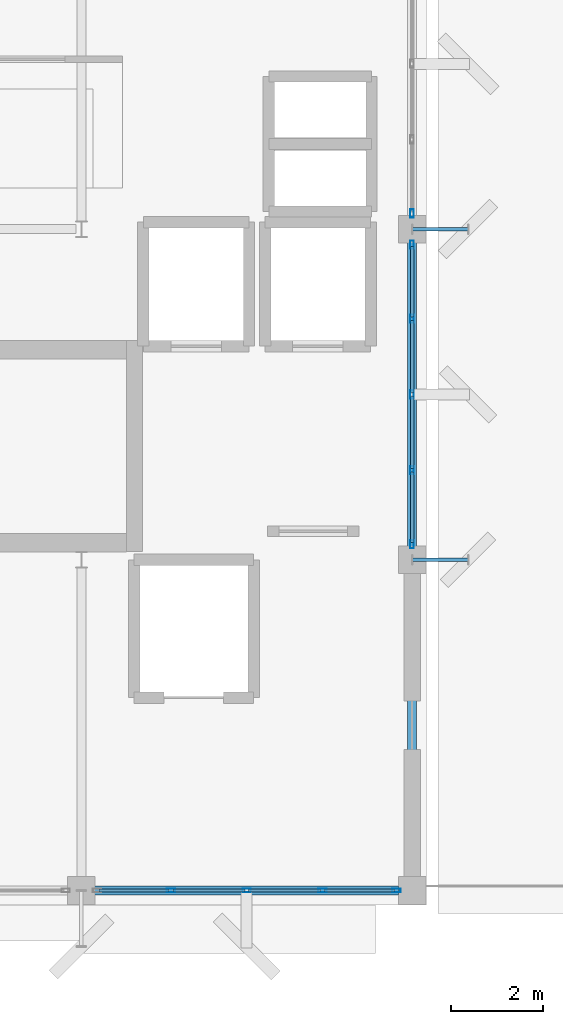
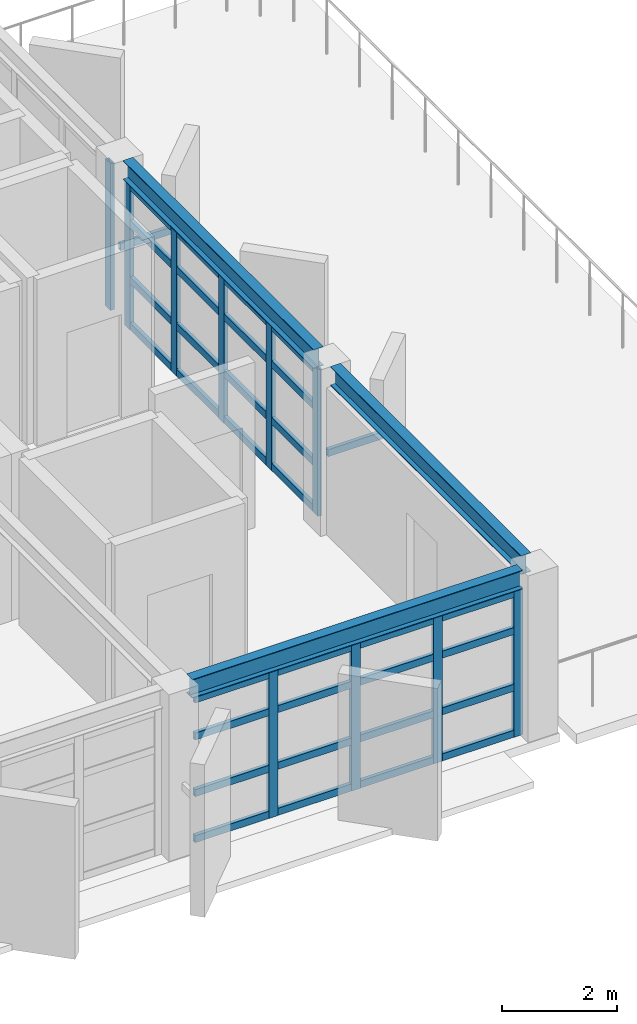
# One storey, part 4 of 13: 44 members, 3 beams, 3 elements without a shape of their own.
"""IFC4 building model written with IfcOpenShell, lengths in metres."""

from ifc_helpers import new_model, si_unit, direction, frame, origin, origin_2d, place, context, subcontext, project, spatial, hollow_rectangle, i_section, extrude, material, layer, layer_set, material_profile, profile_set, type_object, element, aggregate, save


model = new_model("IFC4")

# Units and contexts
model_context = context("Model", 3, precision=1e-05, world=origin(), true_north=direction((0.0, 1.0)))
body_context = subcontext(model_context, "Body", "Model", "MODEL_VIEW")
ifc_project = project(units=[si_unit("LENGTHUNIT", "METRE"), si_unit("AREAUNIT", "SQUARE_METRE"), si_unit("VOLUMEUNIT", "CUBIC_METRE"), si_unit("PLANEANGLEUNIT", "RADIAN"), si_unit("MASSUNIT", "GRAM", prefix="KILO")], contexts=[model_context])

# Site, building, storey
site_placement = place(None, origin())
site = spatial("IfcSite", under=ifc_project, at=site_placement, CompositionType="ELEMENT")
building_placement = place(site_placement, origin())
building = spatial("IfcBuilding", under=site, at=building_placement, Name="Kandorven Conservatory and Botanical Research Centre", CompositionType="ELEMENT")
storey_placement = place(building_placement, frame((0.0, 0.0, 59.39990234375)))
storey = spatial("IfcBuildingStorey", under=building, at=storey_placement, Name="L15", CompositionType="ELEMENT", Elevation=59.39990234375)

# Beams
ifc_material_1 = material(Name="Steel S355 (IS 2062 E350)", Category="steel")
ifc_material_profile_1 = material_profile(ifc_material_1, i_section(OverallWidth=0.199951171875, OverallDepth=0.39990234375, WebThickness=0.008544921875, FlangeThickness=0.012939453125, at=origin_2d()))
ifc_profile_set_1 = profile_set([ifc_material_profile_1], Name="Steel S355 (IS 2062 E350)")
beam_type = type_object("IfcBeamType", Name="Beam_FG-03", PredefinedType="USERDEFINED", material=ifc_profile_set_1)
beam_1_placement = place(storey_placement, frame((20.68994140625, 6.0, 3.330078125), z_axis=(1.0, 0.0, 0.0), x_axis=(0.0, 1.0, 0.0)))
element("IfcBeam", 1, at=beam_1_placement, inside=storey, type_object=beam_type, Name="Primary girder FG-03 TWR L15", ObjectType="GIRDER", PredefinedType="USERDEFINED", context=body_context, shape_type="SweptSolid", body=[
    extrude(i_section(OverallWidth=0.199951171875, OverallDepth=0.39990234375, WebThickness=0.008544921875, FlangeThickness=0.012939453125, at=origin_2d()), origin(), (0.0, 0.0, 1.0), 6.6201171875),
])
beam_2_placement = place(storey_placement, frame((27.60009765625, 6.2900390625, 3.330078125), z_axis=(0.0, 1.0, 0.0), x_axis=(-1.0, 0.0, 0.0)))
element("IfcBeam", 2, at=beam_2_placement, inside=storey, type_object=beam_type, Name="Primary girder FG-03 TWR L15", ObjectType="GIRDER", PredefinedType="USERDEFINED", context=body_context, shape_type="SweptSolid", body=[
    extrude(i_section(OverallWidth=0.199951171875, OverallDepth=0.39990234375, WebThickness=0.008544921875, FlangeThickness=0.012939453125, at=origin_2d()), origin(), (0.0, 0.0, 1.0), 6.619873046875),
])
beam_3_placement = place(storey_placement, frame((27.60009765625, 13.489990234375, 3.330078125), z_axis=(0.0, 1.0, 0.0), x_axis=(-1.0, 0.0, 0.0)))
element("IfcBeam", 3, at=beam_3_placement, inside=storey, type_object=beam_type, Name="Primary girder FG-03 TWR L15", ObjectType="GIRDER", PredefinedType="USERDEFINED", context=body_context, shape_type="SweptSolid", body=[
    extrude(i_section(OverallWidth=0.199951171875, OverallDepth=0.39990234375, WebThickness=0.008544921875, FlangeThickness=0.012939453125, at=origin_2d()), origin(), (0.0, 0.0, 1.0), 6.6201171875),
])

# Curtain wall, members
ifc_material_2 = material(Name="Bronze anodised thermally broken aluminium", Category="aluminium")
ifc_layer = layer(ifc_material_2, 0.179931640625)
ifc_layer_set = layer_set([ifc_layer], Name="Bronze anodised thermally broken aluminium")
curtain_wall_type = type_object("IfcCurtainWallType", Name="CW_Unitised", PredefinedType="USERDEFINED", material=ifc_layer_set)
curtain_wall_1_placement = place(storey_placement, origin())
curtain_wall_1 = element("IfcCurtainWall", 4, at=curtain_wall_1_placement, inside=storey, type_object=curtain_wall_type, Name="Tower laboratory curtain wall CW-TWR-S-L15-3", ObjectType="UNITISED GLAZING", PredefinedType="USERDEFINED")
ifc_material_3 = material(Name="Bronze anodised thermally broken aluminium", Category="aluminium")
ifc_material_profile_2 = material_profile(ifc_material_3, hollow_rectangle(XDim=0.080078125, YDim=0.179931640625, WallThickness=0.006103515625, at=origin_2d()))
ifc_profile_set_2 = profile_set([ifc_material_profile_2], Name="Bronze anodised thermally broken aluminium")
member_type_1 = type_object("IfcMemberType", Name="CW_Mullion", PredefinedType="MULLION", material=ifc_profile_set_2)
member_1_placement = place(storey_placement, frame((22.35009765625, 6.0, 0.0), z_axis=(0.0, 0.0, 1.0), x_axis=(0.0, 1.0, 0.0)))
member_1 = element("IfcMember", 5, at=member_1_placement, type_object=member_type_1, Name="CW-01 mullion 2", PredefinedType="MULLION", context=body_context, shape_type="SweptSolid", body=[
    extrude(hollow_rectangle(XDim=0.080078125, YDim=0.179931640625, WallThickness=0.006103515625, at=origin_2d()), origin(), (0.0, 0.0, 1.0), 3.110107421875),
])
member_2_placement = place(storey_placement, frame((24.0, 6.0, 0.0), z_axis=(0.0, 0.0, 1.0), x_axis=(0.0, 1.0, 0.0)))
member_2 = element("IfcMember", 6, at=member_2_placement, type_object=member_type_1, Name="CW-01 mullion 3", PredefinedType="MULLION", context=body_context, shape_type="SweptSolid", body=[
    extrude(hollow_rectangle(XDim=0.080078125, YDim=0.179931640625, WallThickness=0.006103515625, at=origin_2d()), origin(), (0.0, 0.0, 1.0), 3.110107421875),
])
member_3_placement = place(storey_placement, frame((25.64990234375, 6.0, 0.0), z_axis=(0.0, 0.0, 1.0), x_axis=(0.0, 1.0, 0.0)))
member_3 = element("IfcMember", 7, at=member_3_placement, type_object=member_type_1, Name="CW-01 mullion 4", PredefinedType="MULLION", context=body_context, shape_type="SweptSolid", body=[
    extrude(hollow_rectangle(XDim=0.080078125, YDim=0.179931640625, WallThickness=0.006103515625, at=origin_2d()), origin(), (0.0, 0.0, 1.0), 3.110107421875),
])
member_4_placement = place(storey_placement, frame((27.260009765625, 6.0, 0.0), z_axis=(0.0, 0.0, 1.0), x_axis=(0.0, 1.0, 0.0)))
member_4 = element("IfcMember", 8, at=member_4_placement, type_object=member_type_1, Name="CW-01 mullion 5", PredefinedType="MULLION", context=body_context, shape_type="SweptSolid", body=[
    extrude(hollow_rectangle(XDim=0.080078125, YDim=0.179931640625, WallThickness=0.006103515625, at=origin_2d()), origin(), (0.0, 0.0, 1.0), 3.110107421875),
])

curtain_wall_2_placement = place(storey_placement, origin())
curtain_wall_2 = element("IfcCurtainWall", 9, at=curtain_wall_2_placement, inside=storey, type_object=curtain_wall_type, Name="Tower laboratory curtain wall CW-TWR-E-L15-2", ObjectType="UNITISED GLAZING", PredefinedType="USERDEFINED")
member_5_placement = place(storey_placement, frame((27.60009765625, 13.5400390625, 0.0), z_axis=(0.0, 0.0, 1.0), x_axis=(-1.0, 0.0, 0.0)))
member_5 = element("IfcMember", 10, at=member_5_placement, type_object=member_type_1, Name="CW-01 mullion 1", PredefinedType="MULLION", context=body_context, shape_type="SweptSolid", body=[
    extrude(hollow_rectangle(XDim=0.080078125, YDim=0.179931640625, WallThickness=0.006103515625, at=origin_2d()), origin(), (0.0, 0.0, 1.0), 3.110107421875),
])
member_6_placement = place(storey_placement, frame((27.60009765625, 15.14990234375, 0.0), z_axis=(0.0, 0.0, 1.0), x_axis=(-1.0, 0.0, 0.0)))
member_6 = element("IfcMember", 11, at=member_6_placement, type_object=member_type_1, Name="CW-01 mullion 2", PredefinedType="MULLION", context=body_context, shape_type="SweptSolid", body=[
    extrude(hollow_rectangle(XDim=0.080078125, YDim=0.179931640625, WallThickness=0.006103515625, at=origin_2d()), origin(), (0.0, 0.0, 1.0), 3.110107421875),
])
member_7_placement = place(storey_placement, frame((27.60009765625, 16.800048828125, 0.0), z_axis=(0.0, 0.0, 1.0), x_axis=(-1.0, 0.0, 0.0)))
member_7 = element("IfcMember", 12, at=member_7_placement, type_object=member_type_1, Name="CW-01 mullion 3", PredefinedType="MULLION", context=body_context, shape_type="SweptSolid", body=[
    extrude(hollow_rectangle(XDim=0.080078125, YDim=0.179931640625, WallThickness=0.006103515625, at=origin_2d()), origin(), (0.0, 0.0, 1.0), 3.110107421875),
])
member_8_placement = place(storey_placement, frame((27.60009765625, 18.449951171875, 0.0), z_axis=(0.0, 0.0, 1.0), x_axis=(-1.0, 0.0, 0.0)))
member_8 = element("IfcMember", 13, at=member_8_placement, type_object=member_type_1, Name="CW-01 mullion 4", PredefinedType="MULLION", context=body_context, shape_type="SweptSolid", body=[
    extrude(hollow_rectangle(XDim=0.080078125, YDim=0.179931640625, WallThickness=0.006103515625, at=origin_2d()), origin(), (0.0, 0.0, 1.0), 3.110107421875),
])
member_9_placement = place(storey_placement, frame((27.60009765625, 20.06005859375, 0.0), z_axis=(0.0, 0.0, 1.0), x_axis=(-1.0, 0.0, 0.0)))
member_9 = element("IfcMember", 14, at=member_9_placement, type_object=member_type_1, Name="CW-01 mullion 5", PredefinedType="MULLION", context=body_context, shape_type="SweptSolid", body=[
    extrude(hollow_rectangle(XDim=0.080078125, YDim=0.179931640625, WallThickness=0.006103515625, at=origin_2d()), origin(), (0.0, 0.0, 1.0), 3.110107421875),
])

# Curtain wall, member
curtain_wall_3_placement = place(storey_placement, origin())
curtain_wall_3 = element("IfcCurtainWall", 15, at=curtain_wall_3_placement, inside=storey, type_object=curtain_wall_type, Name="Tower laboratory curtain wall CW-TWR-E-L15-3", ObjectType="UNITISED GLAZING", PredefinedType="USERDEFINED")
member_10_placement = place(storey_placement, frame((27.60009765625, 20.739990234375, 0.0), z_axis=(0.0, 0.0, 1.0), x_axis=(-1.0, 0.0, 0.0)))
member_10 = element("IfcMember", 16, at=member_10_placement, type_object=member_type_1, Name="CW-01 mullion 1", PredefinedType="MULLION", context=body_context, shape_type="SweptSolid", body=[
    extrude(hollow_rectangle(XDim=0.080078125, YDim=0.179931640625, WallThickness=0.006103515625, at=origin_2d()), origin(), (0.0, 0.0, 1.0), 3.110107421875),
])
aggregate(curtain_wall_3, [member_10])

# Member
ifc_material_4 = material(Name="Bronze anodised thermally broken aluminium", Category="aluminium")
ifc_material_profile_3 = material_profile(ifc_material_4, hollow_rectangle(XDim=0.074951171875, YDim=0.14990234375, WallThickness=0.006103515625, at=origin_2d()))
ifc_profile_set_3 = profile_set([ifc_material_profile_3], Name="Bronze anodised thermally broken aluminium")
member_type_2 = type_object("IfcMemberType", Name="CW_Transom", PredefinedType="USERDEFINED", material=ifc_profile_set_3)
member_11_placement = place(storey_placement, frame((20.780029296875, 6.0, 0.0751953125), z_axis=(1.0, 0.0, 0.0), x_axis=(0.0, 1.0, 0.0)))
member_11 = element("IfcMember", 17, at=member_11_placement, type_object=member_type_2, Name="CW-01 transom 1.1", ObjectType="TRANSOM", PredefinedType="USERDEFINED", context=body_context, shape_type="SweptSolid", body=[
    extrude(hollow_rectangle(XDim=0.074951171875, YDim=0.14990234375, WallThickness=0.006103515625, at=origin_2d()), origin(), (0.0, 0.0, 1.0), 1.530029296875),
])

member_12_placement = place(storey_placement, frame((20.780029296875, 6.0, 1.050048828125), z_axis=(1.0, 0.0, 0.0), x_axis=(0.0, 1.0, 0.0)))
member_12 = element("IfcMember", 18, at=member_12_placement, type_object=member_type_2, Name="CW-01 transom 1.2", ObjectType="TRANSOM", PredefinedType="USERDEFINED", context=body_context, shape_type="SweptSolid", body=[
    extrude(hollow_rectangle(XDim=0.074951171875, YDim=0.14990234375, WallThickness=0.006103515625, at=origin_2d()), origin(), (0.0, 0.0, 1.0), 1.530029296875),
])

member_13_placement = place(storey_placement, frame((20.780029296875, 6.0, 2.25), z_axis=(1.0, 0.0, 0.0), x_axis=(0.0, 1.0, 0.0)))
member_13 = element("IfcMember", 19, at=member_13_placement, type_object=member_type_2, Name="CW-01 transom 1.3", ObjectType="TRANSOM", PredefinedType="USERDEFINED", context=body_context, shape_type="SweptSolid", body=[
    extrude(hollow_rectangle(XDim=0.074951171875, YDim=0.14990234375, WallThickness=0.006103515625, at=origin_2d()), origin(), (0.0, 0.0, 1.0), 1.530029296875),
])

member_14_placement = place(storey_placement, frame((20.780029296875, 6.0, 3.03515625), z_axis=(1.0, 0.0, 0.0), x_axis=(0.0, 1.0, 0.0)))
member_14 = element("IfcMember", 20, at=member_14_placement, type_object=member_type_2, Name="CW-01 transom 1.4", ObjectType="TRANSOM", PredefinedType="USERDEFINED", context=body_context, shape_type="SweptSolid", body=[
    extrude(hollow_rectangle(XDim=0.074951171875, YDim=0.14990234375, WallThickness=0.006103515625, at=origin_2d()), origin(), (0.0, 0.0, 1.0), 1.530029296875),
])

member_15_placement = place(storey_placement, frame((22.389892578125, 6.0, 0.0751953125), z_axis=(1.0, 0.0, 0.0), x_axis=(0.0, 1.0, 0.0)))
member_15 = element("IfcMember", 21, at=member_15_placement, type_object=member_type_2, Name="CW-01 transom 2.1", ObjectType="TRANSOM", PredefinedType="USERDEFINED", context=body_context, shape_type="SweptSolid", body=[
    extrude(hollow_rectangle(XDim=0.074951171875, YDim=0.14990234375, WallThickness=0.006103515625, at=origin_2d()), origin(), (0.0, 0.0, 1.0), 1.570068359375),
])

member_16_placement = place(storey_placement, frame((22.389892578125, 6.0, 1.050048828125), z_axis=(1.0, 0.0, 0.0), x_axis=(0.0, 1.0, 0.0)))
member_16 = element("IfcMember", 22, at=member_16_placement, type_object=member_type_2, Name="CW-01 transom 2.2", ObjectType="TRANSOM", PredefinedType="USERDEFINED", context=body_context, shape_type="SweptSolid", body=[
    extrude(hollow_rectangle(XDim=0.074951171875, YDim=0.14990234375, WallThickness=0.006103515625, at=origin_2d()), origin(), (0.0, 0.0, 1.0), 1.570068359375),
])

member_17_placement = place(storey_placement, frame((22.389892578125, 6.0, 2.25), z_axis=(1.0, 0.0, 0.0), x_axis=(0.0, 1.0, 0.0)))
member_17 = element("IfcMember", 23, at=member_17_placement, type_object=member_type_2, Name="CW-01 transom 2.3", ObjectType="TRANSOM", PredefinedType="USERDEFINED", context=body_context, shape_type="SweptSolid", body=[
    extrude(hollow_rectangle(XDim=0.074951171875, YDim=0.14990234375, WallThickness=0.006103515625, at=origin_2d()), origin(), (0.0, 0.0, 1.0), 1.570068359375),
])

member_18_placement = place(storey_placement, frame((22.389892578125, 6.0, 3.03515625), z_axis=(1.0, 0.0, 0.0), x_axis=(0.0, 1.0, 0.0)))
member_18 = element("IfcMember", 24, at=member_18_placement, type_object=member_type_2, Name="CW-01 transom 2.4", ObjectType="TRANSOM", PredefinedType="USERDEFINED", context=body_context, shape_type="SweptSolid", body=[
    extrude(hollow_rectangle(XDim=0.074951171875, YDim=0.14990234375, WallThickness=0.006103515625, at=origin_2d()), origin(), (0.0, 0.0, 1.0), 1.570068359375),
])

member_19_placement = place(storey_placement, frame((24.0400390625, 6.0, 0.0751953125), z_axis=(1.0, 0.0, 0.0), x_axis=(0.0, 1.0, 0.0)))
member_19 = element("IfcMember", 25, at=member_19_placement, type_object=member_type_2, Name="CW-01 transom 3.1", ObjectType="TRANSOM", PredefinedType="USERDEFINED", context=body_context, shape_type="SweptSolid", body=[
    extrude(hollow_rectangle(XDim=0.074951171875, YDim=0.14990234375, WallThickness=0.006103515625, at=origin_2d()), origin(), (0.0, 0.0, 1.0), 1.570068359375),
])

member_20_placement = place(storey_placement, frame((24.0400390625, 6.0, 1.050048828125), z_axis=(1.0, 0.0, 0.0), x_axis=(0.0, 1.0, 0.0)))
member_20 = element("IfcMember", 26, at=member_20_placement, type_object=member_type_2, Name="CW-01 transom 3.2", ObjectType="TRANSOM", PredefinedType="USERDEFINED", context=body_context, shape_type="SweptSolid", body=[
    extrude(hollow_rectangle(XDim=0.074951171875, YDim=0.14990234375, WallThickness=0.006103515625, at=origin_2d()), origin(), (0.0, 0.0, 1.0), 1.570068359375),
])

member_21_placement = place(storey_placement, frame((24.0400390625, 6.0, 2.25), z_axis=(1.0, 0.0, 0.0), x_axis=(0.0, 1.0, 0.0)))
member_21 = element("IfcMember", 27, at=member_21_placement, type_object=member_type_2, Name="CW-01 transom 3.3", ObjectType="TRANSOM", PredefinedType="USERDEFINED", context=body_context, shape_type="SweptSolid", body=[
    extrude(hollow_rectangle(XDim=0.074951171875, YDim=0.14990234375, WallThickness=0.006103515625, at=origin_2d()), origin(), (0.0, 0.0, 1.0), 1.570068359375),
])

member_22_placement = place(storey_placement, frame((24.0400390625, 6.0, 3.03515625), z_axis=(1.0, 0.0, 0.0), x_axis=(0.0, 1.0, 0.0)))
member_22 = element("IfcMember", 28, at=member_22_placement, type_object=member_type_2, Name="CW-01 transom 3.4", ObjectType="TRANSOM", PredefinedType="USERDEFINED", context=body_context, shape_type="SweptSolid", body=[
    extrude(hollow_rectangle(XDim=0.074951171875, YDim=0.14990234375, WallThickness=0.006103515625, at=origin_2d()), origin(), (0.0, 0.0, 1.0), 1.570068359375),
])

member_23_placement = place(storey_placement, frame((25.68994140625, 6.0, 0.0751953125), z_axis=(1.0, 0.0, 0.0), x_axis=(0.0, 1.0, 0.0)))
member_23 = element("IfcMember", 29, at=member_23_placement, type_object=member_type_2, Name="CW-01 transom 4.1", ObjectType="TRANSOM", PredefinedType="USERDEFINED", context=body_context, shape_type="SweptSolid", body=[
    extrude(hollow_rectangle(XDim=0.074951171875, YDim=0.14990234375, WallThickness=0.006103515625, at=origin_2d()), origin(), (0.0, 0.0, 1.0), 1.530029296875),
])

member_24_placement = place(storey_placement, frame((25.68994140625, 6.0, 1.050048828125), z_axis=(1.0, 0.0, 0.0), x_axis=(0.0, 1.0, 0.0)))
member_24 = element("IfcMember", 30, at=member_24_placement, type_object=member_type_2, Name="CW-01 transom 4.2", ObjectType="TRANSOM", PredefinedType="USERDEFINED", context=body_context, shape_type="SweptSolid", body=[
    extrude(hollow_rectangle(XDim=0.074951171875, YDim=0.14990234375, WallThickness=0.006103515625, at=origin_2d()), origin(), (0.0, 0.0, 1.0), 1.530029296875),
])

member_25_placement = place(storey_placement, frame((25.68994140625, 6.0, 2.25), z_axis=(1.0, 0.0, 0.0), x_axis=(0.0, 1.0, 0.0)))
member_25 = element("IfcMember", 31, at=member_25_placement, type_object=member_type_2, Name="CW-01 transom 4.3", ObjectType="TRANSOM", PredefinedType="USERDEFINED", context=body_context, shape_type="SweptSolid", body=[
    extrude(hollow_rectangle(XDim=0.074951171875, YDim=0.14990234375, WallThickness=0.006103515625, at=origin_2d()), origin(), (0.0, 0.0, 1.0), 1.530029296875),
])

member_26_placement = place(storey_placement, frame((25.68994140625, 6.0, 3.03515625), z_axis=(1.0, 0.0, 0.0), x_axis=(0.0, 1.0, 0.0)))
member_26 = element("IfcMember", 32, at=member_26_placement, type_object=member_type_2, Name="CW-01 transom 4.4", ObjectType="TRANSOM", PredefinedType="USERDEFINED", context=body_context, shape_type="SweptSolid", body=[
    extrude(hollow_rectangle(XDim=0.074951171875, YDim=0.14990234375, WallThickness=0.006103515625, at=origin_2d()), origin(), (0.0, 0.0, 1.0), 1.530029296875),
])

aggregate(curtain_wall_1, [member_1, member_2, member_3, member_4, member_11, member_12, member_13, member_14, member_15, member_16, member_17, member_18, member_19, member_20, member_21, member_22, member_23, member_24, member_25, member_26])

member_27_placement = place(storey_placement, frame((27.60009765625, 13.580078125, 0.0751953125), z_axis=(0.0, 1.0, 0.0), x_axis=(-1.0, 0.0, 0.0)))
member_27 = element("IfcMember", 33, at=member_27_placement, type_object=member_type_2, Name="CW-01 transom 1.1", ObjectType="TRANSOM", PredefinedType="USERDEFINED", context=body_context, shape_type="SweptSolid", body=[
    extrude(hollow_rectangle(XDim=0.074951171875, YDim=0.14990234375, WallThickness=0.006103515625, at=origin_2d()), origin(), (0.0, 0.0, 1.0), 1.530029296875),
])

member_28_placement = place(storey_placement, frame((27.60009765625, 13.580078125, 1.050048828125), z_axis=(0.0, 1.0, 0.0), x_axis=(-1.0, 0.0, 0.0)))
member_28 = element("IfcMember", 34, at=member_28_placement, type_object=member_type_2, Name="CW-01 transom 1.2", ObjectType="TRANSOM", PredefinedType="USERDEFINED", context=body_context, shape_type="SweptSolid", body=[
    extrude(hollow_rectangle(XDim=0.074951171875, YDim=0.14990234375, WallThickness=0.006103515625, at=origin_2d()), origin(), (0.0, 0.0, 1.0), 1.530029296875),
])

member_29_placement = place(storey_placement, frame((27.60009765625, 13.580078125, 2.25), z_axis=(0.0, 1.0, 0.0), x_axis=(-1.0, 0.0, 0.0)))
member_29 = element("IfcMember", 35, at=member_29_placement, type_object=member_type_2, Name="CW-01 transom 1.3", ObjectType="TRANSOM", PredefinedType="USERDEFINED", context=body_context, shape_type="SweptSolid", body=[
    extrude(hollow_rectangle(XDim=0.074951171875, YDim=0.14990234375, WallThickness=0.006103515625, at=origin_2d()), origin(), (0.0, 0.0, 1.0), 1.530029296875),
])

member_30_placement = place(storey_placement, frame((27.60009765625, 13.580078125, 3.03515625), z_axis=(0.0, 1.0, 0.0), x_axis=(-1.0, 0.0, 0.0)))
member_30 = element("IfcMember", 36, at=member_30_placement, type_object=member_type_2, Name="CW-01 transom 1.4", ObjectType="TRANSOM", PredefinedType="USERDEFINED", context=body_context, shape_type="SweptSolid", body=[
    extrude(hollow_rectangle(XDim=0.074951171875, YDim=0.14990234375, WallThickness=0.006103515625, at=origin_2d()), origin(), (0.0, 0.0, 1.0), 1.530029296875),
])

member_31_placement = place(storey_placement, frame((27.60009765625, 15.18994140625, 0.0751953125), z_axis=(0.0, 1.0, 0.0), x_axis=(-1.0, 0.0, 0.0)))
member_31 = element("IfcMember", 37, at=member_31_placement, type_object=member_type_2, Name="CW-01 transom 2.1", ObjectType="TRANSOM", PredefinedType="USERDEFINED", context=body_context, shape_type="SweptSolid", body=[
    extrude(hollow_rectangle(XDim=0.074951171875, YDim=0.14990234375, WallThickness=0.006103515625, at=origin_2d()), origin(), (0.0, 0.0, 1.0), 1.570068359375),
])

member_32_placement = place(storey_placement, frame((27.60009765625, 15.18994140625, 1.050048828125), z_axis=(0.0, 1.0, 0.0), x_axis=(-1.0, 0.0, 0.0)))
member_32 = element("IfcMember", 38, at=member_32_placement, type_object=member_type_2, Name="CW-01 transom 2.2", ObjectType="TRANSOM", PredefinedType="USERDEFINED", context=body_context, shape_type="SweptSolid", body=[
    extrude(hollow_rectangle(XDim=0.074951171875, YDim=0.14990234375, WallThickness=0.006103515625, at=origin_2d()), origin(), (0.0, 0.0, 1.0), 1.570068359375),
])

member_33_placement = place(storey_placement, frame((27.60009765625, 15.18994140625, 2.25), z_axis=(0.0, 1.0, 0.0), x_axis=(-1.0, 0.0, 0.0)))
member_33 = element("IfcMember", 39, at=member_33_placement, type_object=member_type_2, Name="CW-01 transom 2.3", ObjectType="TRANSOM", PredefinedType="USERDEFINED", context=body_context, shape_type="SweptSolid", body=[
    extrude(hollow_rectangle(XDim=0.074951171875, YDim=0.14990234375, WallThickness=0.006103515625, at=origin_2d()), origin(), (0.0, 0.0, 1.0), 1.570068359375),
])

member_34_placement = place(storey_placement, frame((27.60009765625, 15.18994140625, 3.03515625), z_axis=(0.0, 1.0, 0.0), x_axis=(-1.0, 0.0, 0.0)))
member_34 = element("IfcMember", 40, at=member_34_placement, type_object=member_type_2, Name="CW-01 transom 2.4", ObjectType="TRANSOM", PredefinedType="USERDEFINED", context=body_context, shape_type="SweptSolid", body=[
    extrude(hollow_rectangle(XDim=0.074951171875, YDim=0.14990234375, WallThickness=0.006103515625, at=origin_2d()), origin(), (0.0, 0.0, 1.0), 1.570068359375),
])

member_35_placement = place(storey_placement, frame((27.60009765625, 16.840087890625, 0.0751953125), z_axis=(0.0, 1.0, 0.0), x_axis=(-1.0, 0.0, 0.0)))
member_35 = element("IfcMember", 41, at=member_35_placement, type_object=member_type_2, Name="CW-01 transom 3.1", ObjectType="TRANSOM", PredefinedType="USERDEFINED", context=body_context, shape_type="SweptSolid", body=[
    extrude(hollow_rectangle(XDim=0.074951171875, YDim=0.14990234375, WallThickness=0.006103515625, at=origin_2d()), origin(), (0.0, 0.0, 1.0), 1.56982421875),
])

member_36_placement = place(storey_placement, frame((27.60009765625, 16.840087890625, 1.050048828125), z_axis=(0.0, 1.0, 0.0), x_axis=(-1.0, 0.0, 0.0)))
member_36 = element("IfcMember", 42, at=member_36_placement, type_object=member_type_2, Name="CW-01 transom 3.2", ObjectType="TRANSOM", PredefinedType="USERDEFINED", context=body_context, shape_type="SweptSolid", body=[
    extrude(hollow_rectangle(XDim=0.074951171875, YDim=0.14990234375, WallThickness=0.006103515625, at=origin_2d()), origin(), (0.0, 0.0, 1.0), 1.56982421875),
])

member_37_placement = place(storey_placement, frame((27.60009765625, 16.840087890625, 2.25), z_axis=(0.0, 1.0, 0.0), x_axis=(-1.0, 0.0, 0.0)))
member_37 = element("IfcMember", 43, at=member_37_placement, type_object=member_type_2, Name="CW-01 transom 3.3", ObjectType="TRANSOM", PredefinedType="USERDEFINED", context=body_context, shape_type="SweptSolid", body=[
    extrude(hollow_rectangle(XDim=0.074951171875, YDim=0.14990234375, WallThickness=0.006103515625, at=origin_2d()), origin(), (0.0, 0.0, 1.0), 1.56982421875),
])

member_38_placement = place(storey_placement, frame((27.60009765625, 16.840087890625, 3.03515625), z_axis=(0.0, 1.0, 0.0), x_axis=(-1.0, 0.0, 0.0)))
member_38 = element("IfcMember", 44, at=member_38_placement, type_object=member_type_2, Name="CW-01 transom 3.4", ObjectType="TRANSOM", PredefinedType="USERDEFINED", context=body_context, shape_type="SweptSolid", body=[
    extrude(hollow_rectangle(XDim=0.074951171875, YDim=0.14990234375, WallThickness=0.006103515625, at=origin_2d()), origin(), (0.0, 0.0, 1.0), 1.56982421875),
])

member_39_placement = place(storey_placement, frame((27.60009765625, 18.489990234375, 0.0751953125), z_axis=(0.0, 1.0, 0.0), x_axis=(-1.0, 0.0, 0.0)))
member_39 = element("IfcMember", 45, at=member_39_placement, type_object=member_type_2, Name="CW-01 transom 4.1", ObjectType="TRANSOM", PredefinedType="USERDEFINED", context=body_context, shape_type="SweptSolid", body=[
    extrude(hollow_rectangle(XDim=0.074951171875, YDim=0.14990234375, WallThickness=0.006103515625, at=origin_2d()), origin(), (0.0, 0.0, 1.0), 1.530029296875),
])

member_40_placement = place(storey_placement, frame((27.60009765625, 18.489990234375, 1.050048828125), z_axis=(0.0, 1.0, 0.0), x_axis=(-1.0, 0.0, 0.0)))
member_40 = element("IfcMember", 46, at=member_40_placement, type_object=member_type_2, Name="CW-01 transom 4.2", ObjectType="TRANSOM", PredefinedType="USERDEFINED", context=body_context, shape_type="SweptSolid", body=[
    extrude(hollow_rectangle(XDim=0.074951171875, YDim=0.14990234375, WallThickness=0.006103515625, at=origin_2d()), origin(), (0.0, 0.0, 1.0), 1.530029296875),
])

member_41_placement = place(storey_placement, frame((27.60009765625, 18.489990234375, 2.25), z_axis=(0.0, 1.0, 0.0), x_axis=(-1.0, 0.0, 0.0)))
member_41 = element("IfcMember", 47, at=member_41_placement, type_object=member_type_2, Name="CW-01 transom 4.3", ObjectType="TRANSOM", PredefinedType="USERDEFINED", context=body_context, shape_type="SweptSolid", body=[
    extrude(hollow_rectangle(XDim=0.074951171875, YDim=0.14990234375, WallThickness=0.006103515625, at=origin_2d()), origin(), (0.0, 0.0, 1.0), 1.530029296875),
])

member_42_placement = place(storey_placement, frame((27.60009765625, 18.489990234375, 3.03515625), z_axis=(0.0, 1.0, 0.0), x_axis=(-1.0, 0.0, 0.0)))
member_42 = element("IfcMember", 48, at=member_42_placement, type_object=member_type_2, Name="CW-01 transom 4.4", ObjectType="TRANSOM", PredefinedType="USERDEFINED", context=body_context, shape_type="SweptSolid", body=[
    extrude(hollow_rectangle(XDim=0.074951171875, YDim=0.14990234375, WallThickness=0.006103515625, at=origin_2d()), origin(), (0.0, 0.0, 1.0), 1.530029296875),
])

aggregate(curtain_wall_2, [member_5, member_6, member_7, member_8, member_9, member_27, member_28, member_29, member_30, member_31, member_32, member_33, member_34, member_35, member_36, member_37, member_38, member_39, member_40, member_41, member_42])

# Members
ifc_material_5 = material(Name="Steel S355 (IS 2062 E350)", Category="steel")
ifc_material_profile_4 = material_profile(ifc_material_5, hollow_rectangle(XDim=0.074951171875, YDim=0.14990234375, WallThickness=0.006103515625, at=origin_2d()))
ifc_profile_set_4 = profile_set([ifc_material_profile_4], Name="Steel S355 (IS 2062 E350)")
member_type_3 = type_object("IfcMemberType", Name="Mem_SF-01", PredefinedType="STRUT", material=ifc_profile_set_4)
for number, where, z_axis, x_axis, name in (
    (49, (27.60009765625, 13.199951171875, 1.5), (1.0, 0.0, 0.0), (0.0, 1.0, 0.0), "Solar fin steel outrigger strut SF-01 #141"),
    (50, (27.60009765625, 20.39990234375, 1.5), (1.0, 0.0, 0.0), (0.0, 1.0, 0.0), "Solar fin steel outrigger strut SF-01 #143"),
):
    element("IfcMember", number, at=place(storey_placement, frame(where, z_axis=z_axis, x_axis=x_axis)), inside=storey, type_object=member_type_3, Name=name, PredefinedType="STRUT", context=body_context, shape_type="SweptSolid", body=[
        extrude(hollow_rectangle(XDim=0.074951171875, YDim=0.14990234375, WallThickness=0.006103515625, at=origin_2d()), origin(), (0.0, 0.0, 1.0), 1.219970703125),
    ])

save(model, "model.ifc")
